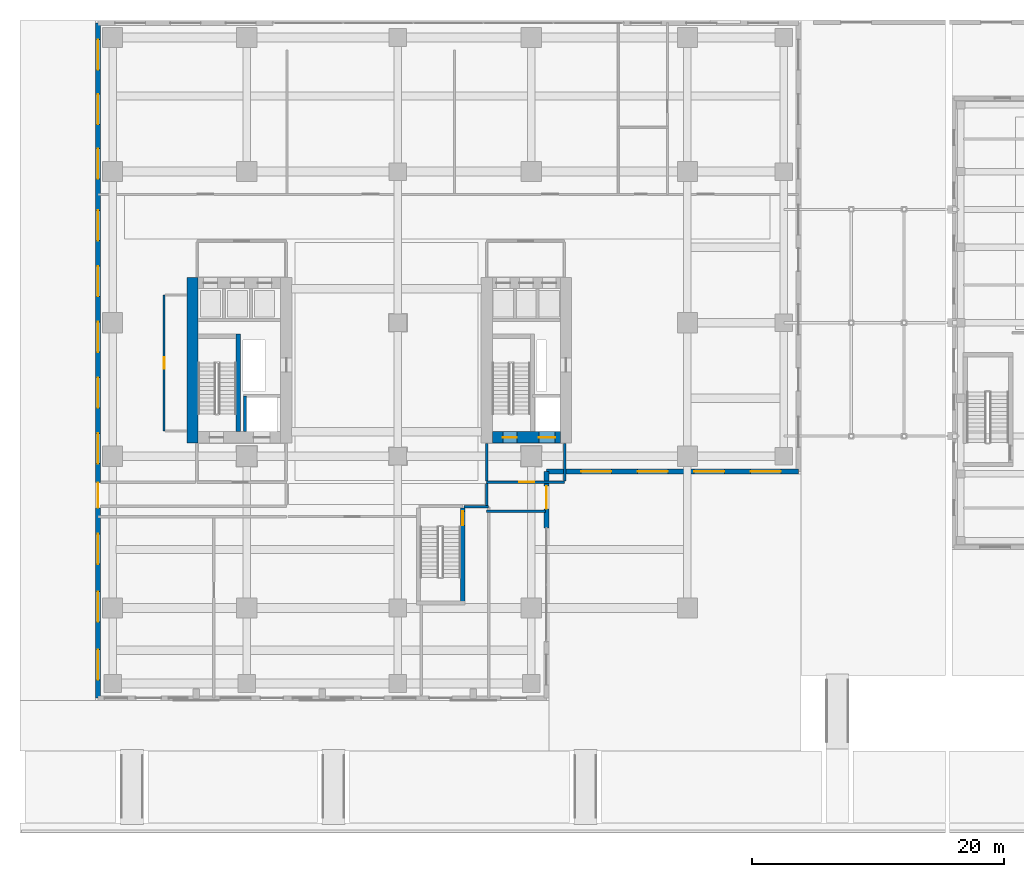
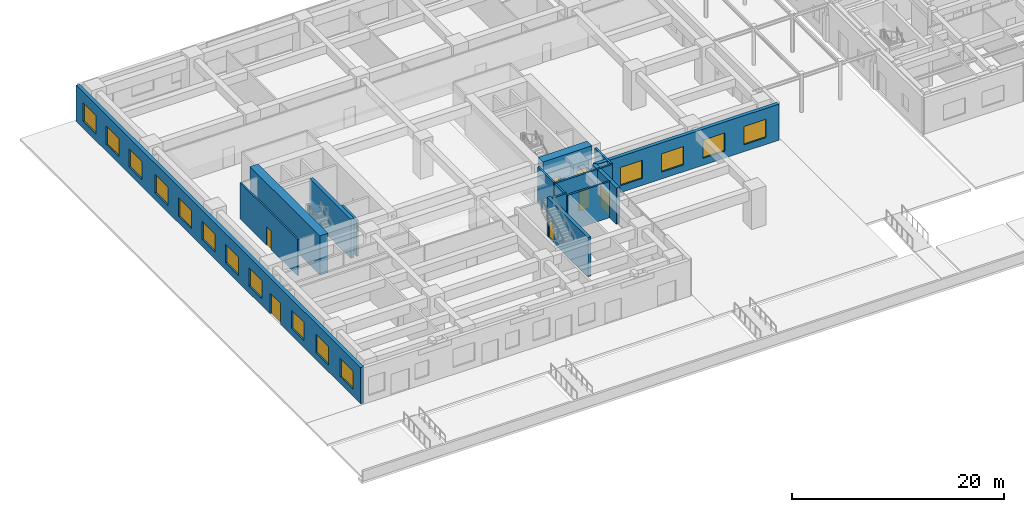
# One storey, part 24 of 39: 15 walls, 15 windows, 7 doors, 22 openings.
"""IFC4 building model written with IfcOpenShell, lengths in metres."""

from ifc_helpers import new_model, si_unit, direction, frame, frame_2d, origin, place, context, subcontext, project, spatial, rectangle, extrude, source, transform, mapped, material, layer, layer_set, type_object, element, fill, save


model = new_model("IFC4")

# Units and contexts
model_context = context("Model", 3, precision=1e-05, world=origin(), true_north=direction((0.0, 1.0)))
body_context = subcontext(model_context, "Body", "Model", "MODEL_VIEW")
ifc_project = project(units=[si_unit("LENGTHUNIT", "METRE"), si_unit("AREAUNIT", "SQUARE_METRE"), si_unit("VOLUMEUNIT", "CUBIC_METRE"), si_unit("PLANEANGLEUNIT", "RADIAN"), si_unit("MASSUNIT", "GRAM", prefix="KILO")], contexts=[model_context])

# Site, building, storey
site_placement = place(None, origin())
site = spatial("IfcSite", under=ifc_project, at=site_placement, CompositionType="ELEMENT")
building_placement = place(site_placement, origin())
building = spatial("IfcBuilding", under=site, at=building_placement, Name="Khoralis Quay Care Tower", CompositionType="ELEMENT")
storey_placement = place(building_placement, origin())
storey = spatial("IfcBuildingStorey", under=building, at=storey_placement, Name="L00", CompositionType="ELEMENT", Elevation=0.0)

# Wall, opening, door
ifc_material_1 = material(Name="Gypsum plasterboard on acoustic metal stud")
ifc_layer_1 = layer(ifc_material_1, 0.199951171875)
ifc_layer_set_1 = layer_set([ifc_layer_1], Name="Gypsum plasterboard on acoustic metal stud")
wall_type_1 = type_object("IfcWallType", Name="WL-COMP-200", PredefinedType="PARTITIONING", material=ifc_layer_set_1)
wall_1_placement = place(storey_placement, frame((31.050048828125, 11.35009765625, 0.0), z_axis=(0.0, 0.0, 1.0), x_axis=(1.0, 0.0, 0.0)))
wall_1 = element("IfcWall", 1, at=wall_1_placement, inside=storey, type_object=wall_type_1, Name="L00 East Firefighting Lobby South Wall", PredefinedType="PARTITIONING", context=body_context, shape_type="SweptSolid", body=[
    extrude(rectangle(XDim=6.199951171875, YDim=0.199951171875, at=frame_2d((3.10009765625, 0.0))), origin(), (0.0, 0.0, 1.0), 4.159912109375),
])
opening_1_placement = place(wall_1_placement, frame((2.585693359375, 0.0, 0.0)))
opening_1 = element("IfcOpeningElement", 2, at=opening_1_placement, cuts=wall_1, Name="Opening FD1", PredefinedType="OPENING", context=body_context, shape_type="SweptSolid", body=[
    extrude(rectangle(XDim=1.199951171875, YDim=2.199951171875, at=frame_2d((0.60009765625, 1.10009765625))), frame((0.0, 0.10986328125, 0.0), z_axis=(0.0, -1.0, 0.0), x_axis=(1.0, 0.0, 0.0)), (0.0, 0.0, 1.0), 0.219970703125),
])
ifc_material_2 = material(Name="Fire-rated painted steel", Category="steel")
door_type_1 = type_object("IfcDoorType", Name="DR-FFL-1200X2200", OperationType="NOTDEFINED", PredefinedType="DOOR", material=ifc_material_2)
shared_shape_1 = source(origin(), body_context, "Body", "SweptSolid", [
    extrude(rectangle(XDim=1.199951171875, YDim=2.199951171875, at=frame_2d((0.60009765625, 1.10009765625))), frame((0.0, 0.02490234375, 0.0), z_axis=(0.0, -1.0, 0.0), x_axis=(1.0, 0.0, 0.0)), (0.0, 0.0, 1.0), 0.050048828125),
])
door_1_placement = place(opening_1_placement, frame((1.199951171875, 0.0, 0.0), z_axis=(0.0, 0.0, 1.0), x_axis=(-1.0, 0.0, 0.0)))
door_1 = element("IfcDoor", 3, at=door_1_placement, inside=storey, type_object=door_type_1, Name="L00 East Firefighting Lobby Fire Door", OperationType="SINGLE_SWING_LEFT", OverallHeight=2.199951171875, OverallWidth=1.199951171875, PredefinedType="DOOR", context=body_context, shape_type="MappedRepresentation", body=[
    mapped(shared_shape_1, transform((0.0, 0.0, 0.0), scale=1.0)),
])
fill(opening_1, door_1)

# Walls
for number, where, z_axis, x_axis, name in (
    (4, (31.050048828125, 11.445068359375, 0.0), (0.0, 0.0, 1.0), (0.0, 1.0, 0.0), "L00 East Firefighting Lobby West Wall"),
    (5, (37.25, 11.445068359375, 0.0), (0.0, 0.0, 1.0), (0.0, 1.0, 0.0), "L00 East Firefighting Lobby East Wall"),
):
    element("IfcWall", number, at=place(storey_placement, frame(where, z_axis=z_axis, x_axis=x_axis)), inside=storey, type_object=wall_type_1, Name=name, PredefinedType="PARTITIONING", context=body_context, shape_type="SweptSolid", body=[
        extrude(rectangle(XDim=2.98486328125, YDim=0.199951171875, at=frame_2d((1.492431640625, 0.0))), origin(), (0.0, 0.0, 1.0), 4.159912109375),
    ])
wall_2_placement = place(storey_placement, frame((29.25, 9.3798828125, 0.0), z_axis=(0.0, 0.0, 1.0), x_axis=(1.0, 0.0, 0.0)))
element("IfcWall", 6, at=wall_2_placement, inside=storey, type_object=wall_type_1, Name="L00 Podium Stair Exit Passage North Cap", PredefinedType="PARTITIONING", context=body_context, shape_type="SweptSolid", body=[
    extrude(rectangle(XDim=1.969970703125, YDim=0.199951171875, at=frame_2d((0.98486328125, 0.0))), origin(), (0.0, 0.0, 1.0), 4.159912109375),
])
wall_3_placement = place(storey_placement, frame((31.050048828125, 9.47509765625, 0.0), z_axis=(0.0, 0.0, 1.0), x_axis=(0.0, 1.0, 0.0)))
element("IfcWall", 7, at=wall_3_placement, inside=storey, type_object=wall_type_1, Name="L00 East Core Protected Exit Passage West Wall", PredefinedType="PARTITIONING", context=body_context, shape_type="SweptSolid", body=[
    extrude(rectangle(XDim=1.77978515625, YDim=0.199951171875, at=frame_2d((0.889892578125, 0.0))), origin(), (0.0, 0.0, 1.0), 4.159912109375),
])
wall_4_placement = place(storey_placement, frame((31.050048828125, 9.050048828125, 0.0), z_axis=(0.0, 0.0, 1.0), x_axis=(1.0, 0.0, 0.0)))
element("IfcWall", 8, at=wall_4_placement, inside=storey, type_object=wall_type_1, Name="L00 East Core Protected Exit Passage South Wall", PredefinedType="PARTITIONING", context=body_context, shape_type="SweptSolid", body=[
    extrude(rectangle(XDim=4.669921875, YDim=0.199951171875, at=frame_2d((2.3349609375, 0.0))), origin(), (0.0, 0.0, 1.0), 4.159912109375),
])
ifc_material_3 = material(Name="Concrete C80/95", Category="concrete")
ifc_layer_2 = layer(ifc_material_3, 0.89990234375)
ifc_layer_set_2 = layer_set([ifc_layer_2], Name="Concrete C80/95")
wall_type_2 = type_object("IfcWallType", Name="WL-CORE-900", PredefinedType="SHEAR", material=ifc_layer_set_2)
wall_5_placement = place(storey_placement, frame((7.699951171875, 14.449951171875, 0.0), z_axis=(0.0, 0.0, 1.0), x_axis=(0.0, 1.0, 0.0)))
element("IfcWall", 9, at=wall_5_placement, inside=storey, type_object=wall_type_2, Name="L00 WCORE West Shear Wall", PredefinedType="SHEAR", context=body_context, shape_type="SweptSolid", body=[
    extrude(rectangle(XDim=13.150146484375, YDim=0.89990234375, at=frame_2d((6.5751953125, 0.0))), origin(), (0.0, 0.0, 1.0), 4.5),
])

# Wall, openings, doors
wall_6_placement = place(storey_placement, frame((31.52001953125, 14.89990234375, 0.0), z_axis=(0.0, 0.0, 1.0), x_axis=(1.0, 0.0, 0.0)))
wall_6 = element("IfcWall", 10, at=wall_6_placement, inside=storey, type_object=wall_type_2, Name="L00 ECORE South Shear Wall", PredefinedType="SHEAR", context=body_context, shape_type="SweptSolid", body=[
    extrude(rectangle(XDim=5.3798828125, YDim=0.89990234375, at=frame_2d((2.68994140625, 0.0))), origin(), (0.0, 0.0, 1.0), 4.5),
])
opening_2_placement = place(wall_6_placement, frame((0.830078125, 0.0, 0.0)))
opening_2 = element("IfcOpeningElement", 11, at=opening_2_placement, cuts=wall_6, Name="Opening SD1", PredefinedType="OPENING", context=body_context, shape_type="SweptSolid", body=[
    extrude(rectangle(XDim=1.10009765625, YDim=2.199951171875, at=frame_2d((0.550048828125, 1.10009765625))), frame((0.0, 0.4599609375, 0.0), z_axis=(0.0, -1.0, 0.0), x_axis=(1.0, 0.0, 0.0)), (0.0, 0.0, 1.0), 0.919921875),
])
opening_3_placement = place(wall_6_placement, frame((3.679931640625, 0.0, 0.0)))
opening_3 = element("IfcOpeningElement", 12, at=opening_3_placement, cuts=wall_6, Name="Opening LD2", PredefinedType="OPENING", context=body_context, shape_type="SweptSolid", body=[
    extrude(rectangle(XDim=1.300048828125, YDim=2.199951171875, at=frame_2d((0.64990234375, 1.10009765625))), frame((0.0, 0.4599609375, 0.0), z_axis=(0.0, -1.0, 0.0), x_axis=(1.0, 0.0, 0.0)), (0.0, 0.0, 1.0), 0.919921875),
])
door_type_2 = type_object("IfcDoorType", Name="DR-STAIR-1100X2200", OperationType="NOTDEFINED", PredefinedType="DOOR", material=ifc_material_2)
shared_shape_2 = source(origin(), body_context, "Body", "SweptSolid", [
    extrude(rectangle(XDim=1.10009765625, YDim=2.199951171875, at=frame_2d((0.550048828125, 1.10009765625))), frame((0.0, 0.02490234375, 0.0), z_axis=(0.0, -1.0, 0.0), x_axis=(1.0, 0.0, 0.0)), (0.0, 0.0, 1.0), 0.050048828125),
])
door_2_placement = place(opening_2_placement, frame((1.10009765625, 0.0, 0.0), z_axis=(0.0, 0.0, 1.0), x_axis=(-1.0, 0.0, 0.0)))
door_2 = element("IfcDoor", 13, at=door_2_placement, inside=storey, type_object=door_type_2, Name="L00 Stair ST-T2 Fire Door", OperationType="SINGLE_SWING_LEFT", OverallHeight=2.199951171875, OverallWidth=1.10009765625, PredefinedType="DOOR", context=body_context, shape_type="MappedRepresentation", body=[
    mapped(shared_shape_2, transform((0.0, 0.0, 0.0), scale=1.0)),
])
fill(opening_2, door_2)
ifc_material_4 = material(Name="Brushed stainless steel", Category="steel")
door_type_3 = type_object("IfcDoorType", Name="DR-LIFT-1300X2200", OperationType="SLIDING_TO_RIGHT", PredefinedType="DOOR", material=ifc_material_4)
shared_shape_3 = source(origin(), body_context, "Body", "SweptSolid", [
    extrude(rectangle(XDim=1.300048828125, YDim=2.199951171875, at=frame_2d((0.64990234375, 1.10009765625))), frame((0.0, 0.02490234375, 0.0), z_axis=(0.0, -1.0, 0.0), x_axis=(1.0, 0.0, 0.0)), (0.0, 0.0, 1.0), 0.050048828125),
])
door_3_placement = place(opening_3_placement, origin())
door_3 = element("IfcDoor", 14, at=door_3_placement, inside=storey, type_object=door_type_3, Name="L00 Firefighting Lift FFL-2 Landing Door", OperationType="SLIDING_TO_RIGHT", OverallHeight=2.199951171875, OverallWidth=1.300048828125, PredefinedType="DOOR", context=body_context, shape_type="MappedRepresentation", body=[
    mapped(shared_shape_3, transform((0.0, 0.0, 0.0), scale=1.0)),
])
fill(opening_3, door_3)

# Wall, opening, door
ifc_layer_3 = layer(ifc_material_1, 0.1650390625)
ifc_layer_set_3 = layer_set([ifc_layer_3], Name="Gypsum plasterboard on acoustic metal stud")
wall_type_3 = type_object("IfcWallType", Name="WL-CORR-165", PredefinedType="PARTITIONING", material=ifc_layer_set_3)
wall_7_placement = place(storey_placement, frame((5.449951171875, 15.39990234375, 0.0), z_axis=(0.0, 0.0, 1.0), x_axis=(0.0, 1.0, 0.0)))
wall_7 = element("IfcWall", 15, at=wall_7_placement, inside=storey, type_object=wall_type_3, Name="L00 West Core Service Flank Wall", PredefinedType="PARTITIONING", context=body_context, shape_type="SweptSolid", body=[
    extrude(rectangle(XDim=10.800048828125, YDim=0.1650390625, at=frame_2d((5.39990234375, 0.0))), origin(), (0.0, 0.0, 1.0), 4.159912109375),
])
opening_4_placement = place(wall_7_placement, frame((4.949951171875, 0.0, 0.0)))
opening_4 = element("IfcOpeningElement", 16, at=opening_4_placement, cuts=wall_7, Name="Opening WD1", PredefinedType="OPENING", context=body_context, shape_type="SweptSolid", body=[
    extrude(rectangle(XDim=0.89990234375, YDim=2.10009765625, at=frame_2d((0.449951171875, 1.050048828125))), frame((0.0, 0.092529296875, 0.0), z_axis=(0.0, -1.0, 0.0), x_axis=(1.0, 0.0, 0.0)), (0.0, 0.0, 1.0), 0.18505859375),
])
ifc_material_5 = material(Name="Acoustic hardwood timber", Category="wood")
door_type_4 = type_object("IfcDoorType", Name="DR-BATH-900X2100", OperationType="NOTDEFINED", PredefinedType="DOOR", material=ifc_material_5)
shared_shape_4 = source(origin(), body_context, "Body", "SweptSolid", [
    extrude(rectangle(XDim=0.89990234375, YDim=2.10009765625, at=frame_2d((0.449951171875, 1.050048828125))), frame((0.0, 0.02490234375, 0.0), z_axis=(0.0, -1.0, 0.0), x_axis=(1.0, 0.0, 0.0)), (0.0, 0.0, 1.0), 0.050048828125),
])
door_4_placement = place(opening_4_placement, frame((0.89990234375, 0.0, 0.0), z_axis=(0.0, 0.0, 1.0), x_axis=(-1.0, 0.0, 0.0)))
door_4 = element("IfcDoor", 17, at=door_4_placement, inside=storey, type_object=door_type_4, Name="L00 Housekeeping & Public Accessible WC Door", OperationType="SINGLE_SWING_LEFT", OverallHeight=2.10009765625, OverallWidth=0.89990234375, PredefinedType="DOOR", context=body_context, shape_type="MappedRepresentation", body=[
    mapped(shared_shape_4, transform((0.0, 0.0, 0.0), scale=1.0)),
])
fill(opening_4, door_4)

ifc_material_6 = material(Name="Precast concrete C45/55", Category="concrete")
ifc_layer_4 = layer(ifc_material_6, 0.3798828125)
ifc_layer_set_4 = layer_set([ifc_layer_4], Name="Precast concrete C45/55")
wall_type_4 = type_object("IfcWallType", Name="WL-EXT-POD-380", PredefinedType="SOLIDWALL", material=ifc_layer_set_4)
wall_8_placement = place(storey_placement, frame((35.81005859375, 7.68994140625, 0.0), z_axis=(0.0, 0.0, 1.0), x_axis=(0.0, 1.0, 0.0)))
wall_8 = element("IfcWall", 18, at=wall_8_placement, inside=storey, type_object=wall_type_4, Name="L00 External Facade Wall WL-POD-L00-E1B", PredefinedType="SOLIDWALL", context=body_context, shape_type="SweptSolid", body=[
    extrude(rectangle(XDim=4.5, YDim=0.3798828125, at=frame_2d((2.25, 0.0))), origin(), (0.0, 0.0, 1.0), 4.159912109375),
])
opening_5_placement = place(wall_8_placement, frame((1.530029296875, 0.0, 0.0)))
opening_5 = element("IfcOpeningElement", 19, at=opening_5_placement, cuts=wall_8, Name="Opening ED1", PredefinedType="OPENING", context=body_context, shape_type="SweptSolid", body=[
    extrude(rectangle(XDim=1.800048828125, YDim=2.39990234375, at=frame_2d((0.89990234375, 1.199951171875))), frame((0.0, 0.199951171875, 0.0), z_axis=(0.0, -1.0, 0.0), x_axis=(1.0, 0.0, 0.0)), (0.0, 0.0, 1.0), 0.39990234375),
])
ifc_material_7 = material(Name="Anodised aluminium and laminated safety glass", Category="aluminium")
door_type_5 = type_object("IfcDoorType", Name="DR-EXT-1800X2400", OperationType="NOTDEFINED", PredefinedType="DOOR", material=ifc_material_7)
shared_shape_5 = source(origin(), body_context, "Body", "SweptSolid", [
    extrude(rectangle(XDim=1.800048828125, YDim=2.39990234375, at=frame_2d((0.89990234375, 1.199951171875))), frame((0.0, 0.02490234375, 0.0), z_axis=(0.0, -1.0, 0.0), x_axis=(1.0, 0.0, 0.0)), (0.0, 0.0, 1.0), 0.050048828125),
])
door_5_placement = place(opening_5_placement, frame((1.800048828125, 0.0, 0.0), z_axis=(0.0, 0.0, 1.0), x_axis=(-1.0, 0.0, 0.0)))
door_5 = element("IfcDoor", 20, at=door_5_placement, inside=storey, type_object=door_type_5, Name="East Core Stair ST-T2 Protected Passage Final Exit Door", OperationType="DOUBLE_DOOR_SINGLE_SWING", OverallHeight=2.39990234375, OverallWidth=1.800048828125, PredefinedType="DOOR", context=body_context, shape_type="MappedRepresentation", body=[
    mapped(shared_shape_5, transform((0.0, 0.0, 0.0), scale=1.0)),
])
fill(opening_5, door_5)

# Wall, openings, windows
wall_9_placement = place(storey_placement, frame((35.81005859375, 12.18994140625, 0.0), z_axis=(0.0, 0.0, 1.0), x_axis=(1.0, 0.0, 0.0)))
wall_9 = element("IfcWall", 21, at=wall_9_placement, inside=storey, type_object=wall_type_4, Name="L00 External Facade Wall WL-POD-L00-E2", PredefinedType="SOLIDWALL", context=body_context, shape_type="SweptSolid", body=[
    extrude(rectangle(XDim=20.0, YDim=0.3798828125, at=frame_2d((10.0, 0.0))), origin(), (0.0, 0.0, 1.0), 4.159912109375),
])
opening_6_placement = place(wall_9_placement, frame((2.742431640625, 0.0, 0.800048828125)))
opening_6 = element("IfcOpeningElement", 22, at=opening_6_placement, cuts=wall_9, Name="Opening W1", PredefinedType="OPENING", context=body_context, shape_type="SweptSolid", body=[
    extrude(rectangle(XDim=2.39990234375, YDim=2.10009765625, at=frame_2d((1.199951171875, 1.050048828125))), frame((0.0, 0.199951171875, 0.0), z_axis=(0.0, -1.0, 0.0), x_axis=(1.0, 0.0, 0.0)), (0.0, 0.0, 1.0), 0.39990234375),
])
opening_7_placement = place(wall_9_placement, frame((7.2275390625, 0.0, 0.800048828125)))
opening_7 = element("IfcOpeningElement", 23, at=opening_7_placement, cuts=wall_9, Name="Opening W1", PredefinedType="OPENING", context=body_context, shape_type="SweptSolid", body=[
    extrude(rectangle(XDim=2.39990234375, YDim=2.10009765625, at=frame_2d((1.199951171875, 1.050048828125))), frame((0.0, 0.199951171875, 0.0), z_axis=(0.0, -1.0, 0.0), x_axis=(1.0, 0.0, 0.0)), (0.0, 0.0, 1.0), 0.39990234375),
])
opening_8_placement = place(wall_9_placement, frame((11.71240234375, 0.0, 0.800048828125)))
opening_8 = element("IfcOpeningElement", 24, at=opening_8_placement, cuts=wall_9, Name="Opening W1", PredefinedType="OPENING", context=body_context, shape_type="SweptSolid", body=[
    extrude(rectangle(XDim=2.39990234375, YDim=2.10009765625, at=frame_2d((1.199951171875, 1.050048828125))), frame((0.0, 0.199951171875, 0.0), z_axis=(0.0, -1.0, 0.0), x_axis=(1.0, 0.0, 0.0)), (0.0, 0.0, 1.0), 0.39990234375),
])
opening_9_placement = place(wall_9_placement, frame((16.197509765625, 0.0, 0.800048828125)))
opening_9 = element("IfcOpeningElement", 25, at=opening_9_placement, cuts=wall_9, Name="Opening W1", PredefinedType="OPENING", context=body_context, shape_type="SweptSolid", body=[
    extrude(rectangle(XDim=2.39990234375, YDim=2.10009765625, at=frame_2d((1.199951171875, 1.050048828125))), frame((0.0, 0.199951171875, 0.0), z_axis=(0.0, -1.0, 0.0), x_axis=(1.0, 0.0, 0.0)), (0.0, 0.0, 1.0), 0.39990234375),
])
ifc_material_8 = material(Name="Low-E solar-control double glazing", Category="glass")
window_type = type_object("IfcWindowType", Name="WN-POD-2400X2100", PartitioningType="SINGLE_PANEL", PredefinedType="WINDOW", material=ifc_material_8)
shared_shape_6 = source(origin(), body_context, "Body", "SweptSolid", [
    extrude(rectangle(XDim=2.39990234375, YDim=2.10009765625, at=frame_2d((1.199951171875, 1.050048828125))), frame((0.0, 0.030029296875, 0.0), z_axis=(0.0, -1.0, 0.0), x_axis=(1.0, 0.0, 0.0)), (0.0, 0.0, 1.0), 0.06005859375),
])
window_1_placement = place(opening_6_placement, origin())
window_1 = element("IfcWindow", 26, at=window_1_placement, inside=storey, type_object=window_type, Name="WN-POD-L00-E2 Facade Window 01", OverallHeight=2.10009765625, OverallWidth=2.39990234375, PartitioningType="SINGLE_PANEL", PredefinedType="WINDOW", context=body_context, shape_type="MappedRepresentation", body=[
    mapped(shared_shape_6, transform((0.0, 0.0, 0.0), scale=1.0)),
])
fill(opening_6, window_1)
window_2_placement = place(opening_7_placement, origin())
window_2 = element("IfcWindow", 27, at=window_2_placement, inside=storey, type_object=window_type, Name="WN-POD-L00-E2 Facade Window 02", OverallHeight=2.10009765625, OverallWidth=2.39990234375, PartitioningType="SINGLE_PANEL", PredefinedType="WINDOW", context=body_context, shape_type="MappedRepresentation", body=[
    mapped(shared_shape_6, transform((0.0, 0.0, 0.0), scale=1.0)),
])
fill(opening_7, window_2)
window_3_placement = place(opening_8_placement, origin())
window_3 = element("IfcWindow", 28, at=window_3_placement, inside=storey, type_object=window_type, Name="WN-POD-L00-E2 Facade Window 03", OverallHeight=2.10009765625, OverallWidth=2.39990234375, PartitioningType="SINGLE_PANEL", PredefinedType="WINDOW", context=body_context, shape_type="MappedRepresentation", body=[
    mapped(shared_shape_6, transform((0.0, 0.0, 0.0), scale=1.0)),
])
fill(opening_8, window_3)
window_4_placement = place(opening_9_placement, origin())
window_4 = element("IfcWindow", 29, at=window_4_placement, inside=storey, type_object=window_type, Name="WN-POD-L00-E2 Facade Window 04", OverallHeight=2.10009765625, OverallWidth=2.39990234375, PartitioningType="SINGLE_PANEL", PredefinedType="WINDOW", context=body_context, shape_type="MappedRepresentation", body=[
    mapped(shared_shape_6, transform((0.0, 0.0, 0.0), scale=1.0)),
])
fill(opening_9, window_4)

# Wall, openings, windows, door
wall_10_placement = place(storey_placement, frame((0.18994140625, 47.81005859375, 0.0), z_axis=(0.0, 0.0, 1.0), x_axis=(0.0, -1.0, 0.0)))
wall_10 = element("IfcWall", 30, at=wall_10_placement, inside=storey, type_object=wall_type_4, Name="L00 External Facade Wall WL-POD-L00-E5", PredefinedType="SOLIDWALL", context=body_context, shape_type="SweptSolid", body=[
    extrude(rectangle(XDim=53.6201171875, YDim=0.3798828125, at=frame_2d((26.81005859375, 0.0))), origin(), (0.0, 0.0, 1.0), 4.159912109375),
])
opening_10_placement = place(wall_10_placement, frame((1.324951171875, 0.0, 0.800048828125)))
opening_10 = element("IfcOpeningElement", 31, at=opening_10_placement, cuts=wall_10, Name="Opening W1", PredefinedType="OPENING", context=body_context, shape_type="SweptSolid", body=[
    extrude(rectangle(XDim=2.39990234375, YDim=2.10009765625, at=frame_2d((1.199951171875, 1.050048828125))), frame((0.0, 0.199951171875, 0.0), z_axis=(0.0, -1.0, 0.0), x_axis=(1.0, 0.0, 0.0)), (0.0, 0.0, 1.0), 0.39990234375),
])
opening_11_placement = place(wall_10_placement, frame((5.655029296875, 0.0, 0.800048828125)))
opening_11 = element("IfcOpeningElement", 32, at=opening_11_placement, cuts=wall_10, Name="Opening W1", PredefinedType="OPENING", context=body_context, shape_type="SweptSolid", body=[
    extrude(rectangle(XDim=2.39990234375, YDim=2.10009765625, at=frame_2d((1.199951171875, 1.050048828125))), frame((0.0, 0.199951171875, 0.0), z_axis=(0.0, -1.0, 0.0), x_axis=(1.0, 0.0, 0.0)), (0.0, 0.0, 1.0), 0.39990234375),
])
opening_12_placement = place(wall_10_placement, frame((9.985107421875, 0.0, 0.800048828125)))
opening_12 = element("IfcOpeningElement", 33, at=opening_12_placement, cuts=wall_10, Name="Opening W1", PredefinedType="OPENING", context=body_context, shape_type="SweptSolid", body=[
    extrude(rectangle(XDim=2.39990234375, YDim=2.10009765625, at=frame_2d((1.199951171875, 1.050048828125))), frame((0.0, 0.199951171875, 0.0), z_axis=(0.0, -1.0, 0.0), x_axis=(1.0, 0.0, 0.0)), (0.0, 0.0, 1.0), 0.39990234375),
])
opening_13_placement = place(wall_10_placement, frame((14.884033203125, 0.0, 0.800048828125)))
opening_13 = element("IfcOpeningElement", 34, at=opening_13_placement, cuts=wall_10, Name="Opening W1", PredefinedType="OPENING", context=body_context, shape_type="SweptSolid", body=[
    extrude(rectangle(XDim=2.39990234375, YDim=2.10009765625, at=frame_2d((1.199951171875, 1.050048828125))), frame((0.0, 0.199951171875, 0.0), z_axis=(0.0, -1.0, 0.0), x_axis=(1.0, 0.0, 0.0)), (0.0, 0.0, 1.0), 0.39990234375),
])
opening_14_placement = place(wall_10_placement, frame((19.31201171875, 0.0, 0.800048828125)))
opening_14 = element("IfcOpeningElement", 35, at=opening_14_placement, cuts=wall_10, Name="Opening W1", PredefinedType="OPENING", context=body_context, shape_type="SweptSolid", body=[
    extrude(rectangle(XDim=2.39990234375, YDim=2.10009765625, at=frame_2d((1.199951171875, 1.050048828125))), frame((0.0, 0.199951171875, 0.0), z_axis=(0.0, -1.0, 0.0), x_axis=(1.0, 0.0, 0.0)), (0.0, 0.0, 1.0), 0.39990234375),
])
opening_15_placement = place(wall_10_placement, frame((23.739990234375, 0.0, 0.800048828125)))
opening_15 = element("IfcOpeningElement", 36, at=opening_15_placement, cuts=wall_10, Name="Opening W1", PredefinedType="OPENING", context=body_context, shape_type="SweptSolid", body=[
    extrude(rectangle(XDim=2.39990234375, YDim=2.10009765625, at=frame_2d((1.199951171875, 1.050048828125))), frame((0.0, 0.199951171875, 0.0), z_axis=(0.0, -1.0, 0.0), x_axis=(1.0, 0.0, 0.0)), (0.0, 0.0, 1.0), 0.39990234375),
])
opening_16_placement = place(wall_10_placement, frame((28.16796875, 0.0, 0.800048828125)))
opening_16 = element("IfcOpeningElement", 37, at=opening_16_placement, cuts=wall_10, Name="Opening W1", PredefinedType="OPENING", context=body_context, shape_type="SweptSolid", body=[
    extrude(rectangle(XDim=2.39990234375, YDim=2.10009765625, at=frame_2d((1.199951171875, 1.050048828125))), frame((0.0, 0.199951171875, 0.0), z_axis=(0.0, -1.0, 0.0), x_axis=(1.0, 0.0, 0.0)), (0.0, 0.0, 1.0), 0.39990234375),
])
opening_17_placement = place(wall_10_placement, frame((32.595947265625, 0.0, 0.800048828125)))
opening_17 = element("IfcOpeningElement", 38, at=opening_17_placement, cuts=wall_10, Name="Opening W1", PredefinedType="OPENING", context=body_context, shape_type="SweptSolid", body=[
    extrude(rectangle(XDim=2.39990234375, YDim=2.10009765625, at=frame_2d((1.199951171875, 1.050048828125))), frame((0.0, 0.199951171875, 0.0), z_axis=(0.0, -1.0, 0.0), x_axis=(1.0, 0.0, 0.0)), (0.0, 0.0, 1.0), 0.39990234375),
])
opening_18_placement = place(wall_10_placement, frame((40.568359375, 0.0, 0.800048828125)))
opening_18 = element("IfcOpeningElement", 39, at=opening_18_placement, cuts=wall_10, Name="Opening W1", PredefinedType="OPENING", context=body_context, shape_type="SweptSolid", body=[
    extrude(rectangle(XDim=2.39990234375, YDim=2.10009765625, at=frame_2d((1.199951171875, 1.050048828125))), frame((0.0, 0.199951171875, 0.0), z_axis=(0.0, -1.0, 0.0), x_axis=(1.0, 0.0, 0.0)), (0.0, 0.0, 1.0), 0.39990234375),
])
opening_19_placement = place(wall_10_placement, frame((45.1650390625, 0.0, 0.800048828125)))
opening_19 = element("IfcOpeningElement", 40, at=opening_19_placement, cuts=wall_10, Name="Opening W1", PredefinedType="OPENING", context=body_context, shape_type="SweptSolid", body=[
    extrude(rectangle(XDim=2.39990234375, YDim=2.10009765625, at=frame_2d((1.199951171875, 1.050048828125))), frame((0.0, 0.199951171875, 0.0), z_axis=(0.0, -1.0, 0.0), x_axis=(1.0, 0.0, 0.0)), (0.0, 0.0, 1.0), 0.39990234375),
])
opening_20_placement = place(wall_10_placement, frame((49.76171875, 0.0, 0.800048828125)))
opening_20 = element("IfcOpeningElement", 41, at=opening_20_placement, cuts=wall_10, Name="Opening W1", PredefinedType="OPENING", context=body_context, shape_type="SweptSolid", body=[
    extrude(rectangle(XDim=2.39990234375, YDim=2.10009765625, at=frame_2d((1.199951171875, 1.050048828125))), frame((0.0, 0.199951171875, 0.0), z_axis=(0.0, -1.0, 0.0), x_axis=(1.0, 0.0, 0.0)), (0.0, 0.0, 1.0), 0.39990234375),
])
opening_21_placement = place(wall_10_placement, frame((36.510009765625, 0.0, 0.0)))
opening_21 = element("IfcOpeningElement", 42, at=opening_21_placement, cuts=wall_10, Name="Opening ED2", PredefinedType="OPENING", context=body_context, shape_type="SweptSolid", body=[
    extrude(rectangle(XDim=2.0, YDim=2.39990234375, at=frame_2d((1.0, 1.199951171875))), frame((0.0, 0.199951171875, 0.0), z_axis=(0.0, -1.0, 0.0), x_axis=(1.0, 0.0, 0.0)), (0.0, 0.0, 1.0), 0.39990234375),
])
window_5_placement = place(opening_10_placement, origin())
window_5 = element("IfcWindow", 43, at=window_5_placement, inside=storey, type_object=window_type, Name="WN-POD-L00-E5 Facade Window 01", OverallHeight=2.10009765625, OverallWidth=2.39990234375, PartitioningType="SINGLE_PANEL", PredefinedType="WINDOW", context=body_context, shape_type="MappedRepresentation", body=[
    mapped(shared_shape_6, transform((0.0, 0.0, 0.0), scale=1.0)),
])
fill(opening_10, window_5)
window_6_placement = place(opening_11_placement, origin())
window_6 = element("IfcWindow", 44, at=window_6_placement, inside=storey, type_object=window_type, Name="WN-POD-L00-E5 Facade Window 02", OverallHeight=2.10009765625, OverallWidth=2.39990234375, PartitioningType="SINGLE_PANEL", PredefinedType="WINDOW", context=body_context, shape_type="MappedRepresentation", body=[
    mapped(shared_shape_6, transform((0.0, 0.0, 0.0), scale=1.0)),
])
fill(opening_11, window_6)
window_7_placement = place(opening_12_placement, origin())
window_7 = element("IfcWindow", 45, at=window_7_placement, inside=storey, type_object=window_type, Name="WN-POD-L00-E5 Facade Window 03", OverallHeight=2.10009765625, OverallWidth=2.39990234375, PartitioningType="SINGLE_PANEL", PredefinedType="WINDOW", context=body_context, shape_type="MappedRepresentation", body=[
    mapped(shared_shape_6, transform((0.0, 0.0, 0.0), scale=1.0)),
])
fill(opening_12, window_7)
window_8_placement = place(opening_13_placement, origin())
window_8 = element("IfcWindow", 46, at=window_8_placement, inside=storey, type_object=window_type, Name="WN-POD-L00-E5 Facade Window 04", OverallHeight=2.10009765625, OverallWidth=2.39990234375, PartitioningType="SINGLE_PANEL", PredefinedType="WINDOW", context=body_context, shape_type="MappedRepresentation", body=[
    mapped(shared_shape_6, transform((0.0, 0.0, 0.0), scale=1.0)),
])
fill(opening_13, window_8)
window_9_placement = place(opening_14_placement, origin())
window_9 = element("IfcWindow", 47, at=window_9_placement, inside=storey, type_object=window_type, Name="WN-POD-L00-E5 Facade Window 05", OverallHeight=2.10009765625, OverallWidth=2.39990234375, PartitioningType="SINGLE_PANEL", PredefinedType="WINDOW", context=body_context, shape_type="MappedRepresentation", body=[
    mapped(shared_shape_6, transform((0.0, 0.0, 0.0), scale=1.0)),
])
fill(opening_14, window_9)
window_10_placement = place(opening_15_placement, origin())
window_10 = element("IfcWindow", 48, at=window_10_placement, inside=storey, type_object=window_type, Name="WN-POD-L00-E5 Facade Window 06", OverallHeight=2.10009765625, OverallWidth=2.39990234375, PartitioningType="SINGLE_PANEL", PredefinedType="WINDOW", context=body_context, shape_type="MappedRepresentation", body=[
    mapped(shared_shape_6, transform((0.0, 0.0, 0.0), scale=1.0)),
])
fill(opening_15, window_10)
window_11_placement = place(opening_16_placement, origin())
window_11 = element("IfcWindow", 49, at=window_11_placement, inside=storey, type_object=window_type, Name="WN-POD-L00-E5 Facade Window 07", OverallHeight=2.10009765625, OverallWidth=2.39990234375, PartitioningType="SINGLE_PANEL", PredefinedType="WINDOW", context=body_context, shape_type="MappedRepresentation", body=[
    mapped(shared_shape_6, transform((0.0, 0.0, 0.0), scale=1.0)),
])
fill(opening_16, window_11)
window_12_placement = place(opening_17_placement, origin())
window_12 = element("IfcWindow", 50, at=window_12_placement, inside=storey, type_object=window_type, Name="WN-POD-L00-E5 Facade Window 08", OverallHeight=2.10009765625, OverallWidth=2.39990234375, PartitioningType="SINGLE_PANEL", PredefinedType="WINDOW", context=body_context, shape_type="MappedRepresentation", body=[
    mapped(shared_shape_6, transform((0.0, 0.0, 0.0), scale=1.0)),
])
fill(opening_17, window_12)
window_13_placement = place(opening_18_placement, origin())
window_13 = element("IfcWindow", 51, at=window_13_placement, inside=storey, type_object=window_type, Name="WN-POD-L00-E5 Facade Window 09", OverallHeight=2.10009765625, OverallWidth=2.39990234375, PartitioningType="SINGLE_PANEL", PredefinedType="WINDOW", context=body_context, shape_type="MappedRepresentation", body=[
    mapped(shared_shape_6, transform((0.0, 0.0, 0.0), scale=1.0)),
])
fill(opening_18, window_13)
window_14_placement = place(opening_19_placement, origin())
window_14 = element("IfcWindow", 52, at=window_14_placement, inside=storey, type_object=window_type, Name="WN-POD-L00-E5 Facade Window 10", OverallHeight=2.10009765625, OverallWidth=2.39990234375, PartitioningType="SINGLE_PANEL", PredefinedType="WINDOW", context=body_context, shape_type="MappedRepresentation", body=[
    mapped(shared_shape_6, transform((0.0, 0.0, 0.0), scale=1.0)),
])
fill(opening_19, window_14)
window_15_placement = place(opening_20_placement, origin())
window_15 = element("IfcWindow", 53, at=window_15_placement, inside=storey, type_object=window_type, Name="WN-POD-L00-E5 Facade Window 11", OverallHeight=2.10009765625, OverallWidth=2.39990234375, PartitioningType="SINGLE_PANEL", PredefinedType="WINDOW", context=body_context, shape_type="MappedRepresentation", body=[
    mapped(shared_shape_6, transform((0.0, 0.0, 0.0), scale=1.0)),
])
fill(opening_20, window_15)
door_type_6 = type_object("IfcDoorType", Name="DR-EXT-2000X2400", OperationType="NOTDEFINED", PredefinedType="DOOR", material=ifc_material_7)
shared_shape_7 = source(origin(), body_context, "Body", "SweptSolid", [
    extrude(rectangle(XDim=2.0, YDim=2.39990234375, at=frame_2d((1.0, 1.199951171875))), frame((0.0, 0.02490234375, 0.0), z_axis=(0.0, -1.0, 0.0), x_axis=(1.0, 0.0, 0.0)), (0.0, 0.0, 1.0), 0.050048828125),
])
door_6_placement = place(opening_21_placement, frame((2.0, 0.0, 0.0), z_axis=(0.0, 0.0, 1.0), x_axis=(-1.0, 0.0, 0.0)))
door_6 = element("IfcDoor", 54, at=door_6_placement, inside=storey, type_object=door_type_6, Name="West Core Stair Discharge Final Exit Door", OperationType="DOUBLE_DOOR_SINGLE_SWING", OverallHeight=2.39990234375, OverallWidth=2.0, PredefinedType="DOOR", context=body_context, shape_type="MappedRepresentation", body=[
    mapped(shared_shape_7, transform((0.0, 0.0, 0.0), scale=1.0)),
])
fill(opening_21, door_6)

# Wall
ifc_material_9 = material(Name="Concrete C40/50", Category="concrete")
ifc_layer_5 = layer(ifc_material_9, 0.35009765625)
ifc_layer_set_5 = layer_set([ifc_layer_5], Name="Concrete C40/50")
wall_type_5 = type_object("IfcWallType", Name="WL-SC-CORE-350", PredefinedType="SHEAR", material=ifc_layer_set_5)
wall_11_placement = place(storey_placement, frame((11.324951171875, 15.35009765625, 0.0), z_axis=(0.0, 0.0, 1.0), x_axis=(0.0, 1.0, 0.0)))
element("IfcWall", 55, at=wall_11_placement, inside=storey, type_object=wall_type_5, Name="L00 Stair ST-T1 Shear Baffle Wall East", PredefinedType="SHEAR", context=body_context, shape_type="SweptSolid", body=[
    extrude(rectangle(XDim=7.75, YDim=0.35009765625, at=frame_2d((3.875, 0.0))), origin(), (0.0, 0.0, 1.0), 4.5),
])

# Wall, opening, door
wall_12_placement = place(storey_placement, frame((29.155029296875, 1.570068359375, 0.0), z_axis=(0.0, 0.0, 1.0), x_axis=(0.0, 1.0, 0.0)))
wall_12 = element("IfcWall", 56, at=wall_12_placement, inside=storey, type_object=wall_type_5, Name="L00 Podium Stair ST-P1 East Shear Wall", PredefinedType="SHEAR", context=body_context, shape_type="SweptSolid", body=[
    extrude(rectangle(XDim=7.7099609375, YDim=0.35009765625, at=frame_2d((3.85498046875, 0.0))), origin(), (0.0, 0.0, 1.0), 4.5),
])
opening_22_placement = place(wall_12_placement, frame((6.35009765625, 0.0, 0.0)))
opening_22 = element("IfcOpeningElement", 57, at=opening_22_placement, cuts=wall_12, Name="Opening SD1", PredefinedType="OPENING", context=body_context, shape_type="SweptSolid", body=[
    extrude(rectangle(XDim=1.10009765625, YDim=2.199951171875, at=frame_2d((0.550048828125, 1.10009765625))), frame((0.0, 0.18505859375, 0.0), z_axis=(0.0, -1.0, 0.0), x_axis=(1.0, 0.0, 0.0)), (0.0, 0.0, 1.0), 0.3701171875),
])
door_7_placement = place(opening_22_placement, frame((1.10009765625, 0.0, 0.0), z_axis=(0.0, 0.0, 1.0), x_axis=(-1.0, 0.0, 0.0)))
door_7 = element("IfcDoor", 58, at=door_7_placement, inside=storey, type_object=door_type_2, Name="L00 Stair ST-P1 Protected Discharge Fire Door", OperationType="SINGLE_SWING_LEFT", OverallHeight=2.199951171875, OverallWidth=1.10009765625, PredefinedType="DOOR", context=body_context, shape_type="MappedRepresentation", body=[
    mapped(shared_shape_2, transform((0.0, 0.0, 0.0), scale=1.0)),
])
fill(opening_22, door_7)

# Wall
ifc_layer_6 = layer(ifc_material_1, 0.239990234375)
ifc_layer_set_6 = layer_set([ifc_layer_6], Name="Gypsum plasterboard on acoustic metal stud")
wall_type_6 = type_object("IfcWallType", Name="WL-SHAFT-240", PredefinedType="PARTITIONING", material=ifc_layer_set_6)
wall_13_placement = place(storey_placement, frame((11.8798828125, 15.35009765625, 0.0), z_axis=(0.0, 0.0, 1.0), x_axis=(0.0, 1.0, 0.0)))
element("IfcWall", 59, at=wall_13_placement, inside=storey, type_object=wall_type_6, Name="L00 FFL-1 Shaft Wall West", PredefinedType="PARTITIONING", context=body_context, shape_type="SweptSolid", body=[
    extrude(rectangle(XDim=2.849853515625, YDim=0.239990234375, at=frame_2d((1.4248046875, 0.0))), origin(), (0.0, 0.0, 1.0), 4.159912109375),
])

save(model, "model.ifc")
